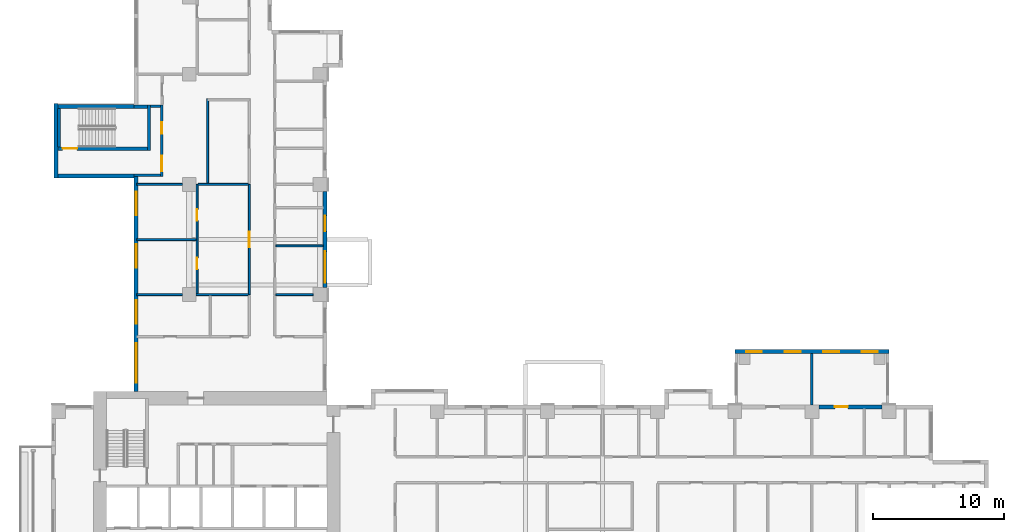
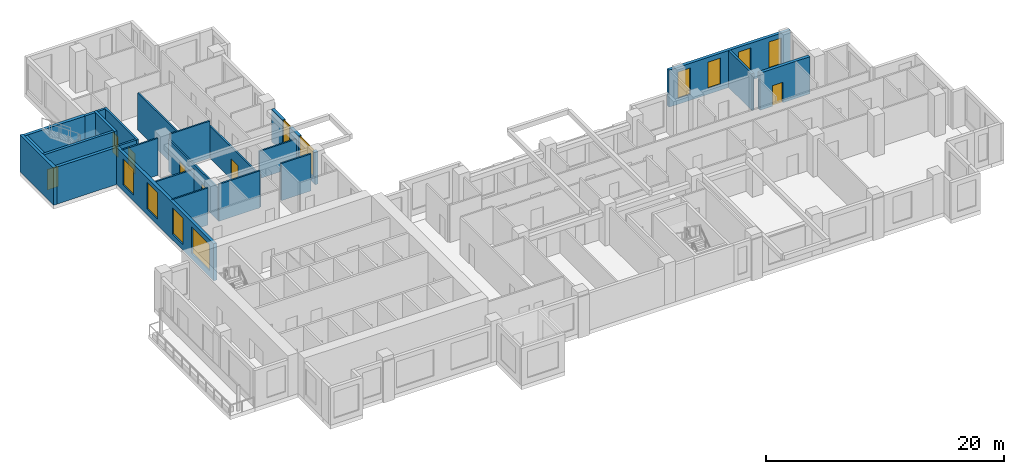
# One storey, part 6 of 14: 25 walls, 10 windows, 7 doors, 17 openings.
"""IFC4 building model written with IfcOpenShell, lengths in metres."""

import ifcopenshell
import ifcopenshell.guid

model = None  # the IFC model being written
_history = None  # IfcOwnerHistory: only IFC2X3 demands one
_inside = {}  # id of a spatial element -> (the spatial element, [elements in it])
_under = {}  # id of a project, library or spatial element -> (it, [spatial elements below it])
_declared = {}  # id of a project -> (the project, [libraries it declares])
_typed = {}  # id of a type object -> (the type object, [elements of that type])
_made_of = {}  # id of a material, layer set ... -> (it, [elements and type objects made of it])


def new_model(schema):
    """Start an empty IFC model of exactly this schema.

    Asked for "IFC4X3", IfcOpenShell would pick the latest addendum, in which some entities
    have other attributes; the version numbers below select the first issue.
    IFC2X3 requires an IfcOwnerHistory on every rooted entity: one is made here for all.
    """
    global model, _history
    if schema == "IFC4X3":
        model = ifcopenshell.file(schema_version=(4, 3, 0, 0))
    else:
        model = ifcopenshell.file(schema=schema)
    _inside.clear()
    _under.clear()
    _declared.clear()
    _typed.clear()
    _made_of.clear()
    _history = None
    if model.schema == "IFC2X3":
        org = make("IfcOrganization", Name="unknown")
        user = make(
            "IfcPersonAndOrganization",
            ThePerson=make("IfcPerson", FamilyName="unknown"),
            TheOrganization=org,
        )
        app = make(
            "IfcApplication",
            ApplicationDeveloper=org,
            Version="unknown",
            ApplicationFullName="unknown",
            ApplicationIdentifier="unknown",
        )
        _history = make(
            "IfcOwnerHistory",
            OwningUser=user,
            OwningApplication=app,
            ChangeAction="ADDED",
            CreationDate=0,
        )
    return model


def make(cls, **values):
    """One entity of the class cls with the attributes given. An attribute that is None is left unset."""
    return model.create_entity(
        cls, **{name: value for name, value in values.items() if value is not None}
    )


def rooted(cls, **values):
    """An entity with a GlobalId (a new one), such as an element, a storey or a relation."""
    return make(cls, GlobalId=ifcopenshell.guid.new(), OwnerHistory=_history, **values)


def si_unit(unit_type, name, prefix=None):
    """IfcSIUnit, for example si_unit("LENGTHUNIT", "METRE", prefix="MILLI")."""
    return make("IfcSIUnit", UnitType=unit_type, Prefix=prefix, Name=name)


def assignment(units):
    """IfcUnitAssignment: the units of a project."""
    return None if units is None else make("IfcUnitAssignment", Units=units)


def point(xyz):
    """IfcCartesianPoint."""
    return None if xyz is None else make("IfcCartesianPoint", Coordinates=xyz)


def direction(xyz):
    """IfcDirection."""
    return None if xyz is None else make("IfcDirection", DirectionRatios=xyz)


def frame(location, z_axis=None, x_axis=None):
    """IfcAxis2Placement3D, a coordinate frame: its origin and axes. An axis left out is left unset."""
    return make(
        "IfcAxis2Placement3D",
        Location=point(location),
        Axis=direction(z_axis),
        RefDirection=direction(x_axis),
    )


def frame_2d(location, x_axis=None):
    """IfcAxis2Placement2D, a coordinate frame in the plane: its origin and x axis."""
    return make(
        "IfcAxis2Placement2D", Location=point(location), RefDirection=direction(x_axis)
    )


def origin():
    """The frame at (0, 0, 0) with its axes left unset."""
    return frame((0.0, 0.0, 0.0))


def place(relative_to, where):
    """IfcLocalPlacement: puts the frame where relative to a parent placement (None: the world)."""
    return make(
        "IfcLocalPlacement", PlacementRelTo=relative_to, RelativePlacement=where
    )


def context(
    kind, dimensions, precision=None, world=None, true_north=None, identifier=None
):
    """IfcGeometricRepresentationContext, for example the 3D "Model" context."""
    return make(
        "IfcGeometricRepresentationContext",
        ContextIdentifier=identifier,
        ContextType=kind,
        CoordinateSpaceDimension=dimensions,
        Precision=precision,
        WorldCoordinateSystem=world,
        TrueNorth=true_north,
    )


def subcontext(parent, identifier, kind, view, scale=None):
    """IfcGeometricRepresentationSubContext, for example "Body" below "Model"."""
    return make(
        "IfcGeometricRepresentationSubContext",
        ContextIdentifier=identifier,
        ContextType=kind,
        ParentContext=parent,
        TargetScale=scale,
        TargetView=view,
    )


def project(units=None, contexts=None):
    """IfcProject with its units and contexts."""
    return rooted(
        "IfcProject",
        Name="project",
        RepresentationContexts=contexts,
        UnitsInContext=assignment(units),
    )


def spatial(cls, under=None, at=None, **own):
    """A site, building, storey or space (cls), placed at a placement, below another one or the project."""
    s = rooted(cls, ObjectPlacement=at, **own)
    if under is not None:
        _under.setdefault(under.id(), (under, []))[1].append(s)
    return s


def profile(cls, at=None, kind="AREA", **sizes):
    """A parametric profile (cls). Its sizes go by their IFC names, for example OverallWidth=200.0."""
    return make(cls, ProfileType=kind, Position=at, **sizes)


def rectangle(**sizes):
    """IfcRectangleProfileDef."""
    return profile("IfcRectangleProfileDef", **sizes)


def extrude(swept, where, along, depth):
    """IfcExtrudedAreaSolid: the profile swept, set in the frame where, extruded along a direction by depth."""
    return make(
        "IfcExtrudedAreaSolid",
        SweptArea=swept,
        Position=where,
        ExtrudedDirection=direction(along),
        Depth=depth,
    )


def shape(context_of_items, identifier, shape_type, items):
    """IfcShapeRepresentation: the items that make up one representation, for example the "Body"."""
    return make(
        "IfcShapeRepresentation",
        ContextOfItems=context_of_items,
        RepresentationIdentifier=identifier,
        RepresentationType=shape_type,
        Items=items,
    )


def source(mapping_origin, context_of_items, identifier, shape_type, items):
    """IfcRepresentationMap: a shape defined once, which mapped items show again and again."""
    return make(
        "IfcRepresentationMap",
        MappingOrigin=mapping_origin,
        MappedRepresentation=shape(context_of_items, identifier, shape_type, items),
    )


def transform(
    local_origin,
    x_axis=None,
    y_axis=None,
    z_axis=None,
    scale=None,
    scale2=None,
    scale3=None,
    uniform=True,
):
    """IfcCartesianTransformationOperator3D, or its non-uniform kind. x_axis, y_axis, z_axis: its Axis1, 2, 3."""
    if uniform:
        return make(
            "IfcCartesianTransformationOperator3D",
            Axis1=direction(x_axis),
            Axis2=direction(y_axis),
            LocalOrigin=point(local_origin),
            Scale=scale,
            Axis3=direction(z_axis),
        )
    return make(
        "IfcCartesianTransformationOperator3DnonUniform",
        Axis1=direction(x_axis),
        Axis2=direction(y_axis),
        LocalOrigin=point(local_origin),
        Scale=scale,
        Axis3=direction(z_axis),
        Scale2=scale2,
        Scale3=scale3,
    )


def mapped(mapping_source, mapping_target):
    """IfcMappedItem: shows the shape of a source again, moved by a transform."""
    return make(
        "IfcMappedItem", MappingSource=mapping_source, MappingTarget=mapping_target
    )


def material(Name=None, Category=None):
    """IfcMaterial."""
    return make("IfcMaterial", Name=Name, Category=Category)


def layer(
    of_material, thickness, ventilated=None, Name=None, Category=None, Priority=None
):
    """IfcMaterialLayer: one layer of a wall or slab, of a material (None: an air gap)."""
    return make(
        "IfcMaterialLayer",
        Material=of_material,
        LayerThickness=thickness,
        IsVentilated=ventilated,
        Name=Name,
        Category=Category,
        Priority=Priority,
    )


def layer_set(layers, Name=None):
    """IfcMaterialLayerSet."""
    return make("IfcMaterialLayerSet", MaterialLayers=layers, LayerSetName=Name)


def made_of(thing, what):
    """Note that an element or type object is made of a material, layer set ...; save() writes the relation."""
    if what is not None:
        _made_of.setdefault(what.id(), (what, []))[1].append(thing)
    return thing


def type_object(cls, material=None, **own):
    """A type object (cls), such as IfcWallType, which elements share."""
    return made_of(rooted(cls, **own), material)


def element(
    cls,
    number,
    at=None,
    inside=None,
    cuts=None,
    type_object=None,
    material=None,
    context=None,
    identifier="Body",
    shape_type=None,
    held_by="IfcProductDefinitionShape",
    body=None,
    shapes=None,
    **own,
):
    """One element of the class cls, such as IfcWall. Its Tag is "e" and its number.

    at: its placement. inside: the storey or other place that contains it. cuts: it is an
    opening in that element (IfcRelVoidsElement). A single representation is given by context,
    identifier, shape_type and body (its items); several are given by shapes. held_by: the class
    of the entity that holds the representations. save() writes the other relations.
    """
    e = rooted(cls, Tag="e%d" % number, ObjectPlacement=at, **own)
    if body is not None:
        shapes = [shape(context, identifier, shape_type, body)]
    if shapes is not None:
        e.Representation = make(held_by, Representations=shapes)
    if inside is not None:
        _inside.setdefault(inside.id(), (inside, []))[1].append(e)
    if cuts is not None:
        rooted(
            "IfcRelVoidsElement", RelatingBuildingElement=cuts, RelatedOpeningElement=e
        )
    if type_object is not None:
        _typed.setdefault(type_object.id(), (type_object, []))[1].append(e)
    return made_of(e, material)


def fill(opening, filler):
    """IfcRelFillsElement: the door or window that sits in an opening."""
    return rooted(
        "IfcRelFillsElement",
        RelatingOpeningElement=opening,
        RelatedBuildingElement=filler,
    )


def aggregate(whole, parts):
    """IfcRelAggregates: a whole, such as a stair, and the parts it consists of."""
    return rooted("IfcRelAggregates", RelatingObject=whole, RelatedObjects=parts)


def save(model, path):
    """Write the relations noted so far, then the file.

    IfcRelAggregates (storeys below a building ...), IfcRelContainedInSpatialStructure (elements
    in a storey), IfcRelDefinesByType, IfcRelAssociatesMaterial and IfcRelDeclares: one each for
    every whole, place, type object, material and project.
    """
    for whole, parts in _under.values():
        aggregate(whole, parts)
    for where, things in _inside.values():
        rooted(
            "IfcRelContainedInSpatialStructure",
            RelatedElements=things,
            RelatingStructure=where,
        )
    for kind, things in _typed.values():
        rooted("IfcRelDefinesByType", RelatedObjects=things, RelatingType=kind)
    for what, things in _made_of.values():
        rooted("IfcRelAssociatesMaterial", RelatedObjects=things, RelatingMaterial=what)
    for by, libraries in _declared.values():
        rooted("IfcRelDeclares", RelatingContext=by, RelatedDefinitions=libraries)
    model.write(path)


model = new_model("IFC4")

# Units and contexts
model_context = context("Model", 3, precision=1e-05, world=origin(), true_north=direction((0.0, 1.0)))
body_context = subcontext(model_context, "Body", "Model", "MODEL_VIEW")
ifc_project = project(units=[si_unit("LENGTHUNIT", "METRE"), si_unit("AREAUNIT", "SQUARE_METRE"), si_unit("VOLUMEUNIT", "CUBIC_METRE"), si_unit("PLANEANGLEUNIT", "RADIAN"), si_unit("MASSUNIT", "GRAM", prefix="KILO")], contexts=[model_context])

# Site, building, storey
site_placement = place(None, origin())
site = spatial("IfcSite", under=ifc_project, at=site_placement, CompositionType="ELEMENT")
building_placement = place(site_placement, origin())
building = spatial("IfcBuilding", under=site, at=building_placement, Name="Aurelian Terraces", CompositionType="ELEMENT")
storey_placement = place(building_placement, frame((0.0, 0.0, 116.1)))
storey = spatial("IfcBuildingStorey", under=building, at=storey_placement, Name="L25", CompositionType="ELEMENT", Elevation=116.1)

# Wall
ifc_material_1 = material(Name="Gypsum board on steel studs", Category="steel")
ifc_layer_1 = layer(ifc_material_1, 0.15)
ifc_layer_set_1 = layer_set([ifc_layer_1], Name="Partition 150")
wall_type_1 = type_object("IfcWallType", Name="Partition 150", PredefinedType="PARTITIONING", material=ifc_layer_set_1)
wall_1_placement = place(storey_placement, frame((11.025, 33.6, 0.0), z_axis=(0.0, 0.0, 1.0), x_axis=(-1.0, 0.0, 0.0)))
element("IfcWall", 1, at=wall_1_placement, inside=storey, type_object=wall_type_1, Name="Partition", PredefinedType="PARTITIONING", context=body_context, shape_type="SweptSolid", body=[
    extrude(rectangle(XDim=4.52, YDim=0.15, at=frame_2d((2.26, 0.0))), origin(), (0.0, 0.0, 1.0), 2.8),
])

# Wall, openings, windows
ifc_material_2 = material(Name="Concrete fc' 40 MPa", Category="concrete")
ifc_layer_2 = layer(ifc_material_2, 0.3)
ifc_layer_set_2 = layer_set([ifc_layer_2], Name="BOX BEARING WALL 300")
wall_type_2 = type_object("IfcWallType", Name="BOX BEARING WALL 300", PredefinedType="SOLIDWALL", material=ifc_layer_set_2)
shared_shape_1 = source(origin(), body_context, "Body", "SweptSolid", [
    extrude(rectangle(XDim=11.76, YDim=0.3, at=frame_2d((5.88, 0.0))), origin(), (0.0, 0.0, 1.0), 3.79),
])
wall_2_placement = place(storey_placement, frame((63.84, 25.05, 0.0), z_axis=(0.0, 0.0, 1.0), x_axis=(-1.0, 0.0, 0.0)))
wall_2 = element("IfcWall", 2, at=wall_2_placement, inside=storey, type_object=wall_type_2, Name="Box wall L25 K02", PredefinedType="SOLIDWALL", context=body_context, shape_type="MappedRepresentation", body=[
    mapped(shared_shape_1, transform((0.0, 0.0, 0.0), scale=1.0)),
])
shared_shape_2 = source(origin(), body_context, "Body", "SweptSolid", [
    extrude(rectangle(XDim=1.2, YDim=2.7, at=frame_2d((0.6, 1.35))), frame((0.0, 0.16, 0.0), z_axis=(0.0, -1.0, 0.0), x_axis=(1.0, 0.0, 0.0)), (0.0, 0.0, 1.0), 0.32),
])
opening_1_placement = place(wall_2_placement, frame((0.87, 0.0, 0.6)))
opening_1 = element("IfcOpeningElement", 3, at=opening_1_placement, cuts=wall_2, Name="Opening W1227", PredefinedType="OPENING", context=body_context, shape_type="MappedRepresentation", body=[
    mapped(shared_shape_2, transform((0.0, 0.0, 0.0), scale=1.0)),
])
opening_2_placement = place(wall_2_placement, frame((3.81, 0.0, 0.6)))
opening_2 = element("IfcOpeningElement", 4, at=opening_2_placement, cuts=wall_2, Name="Opening W1227", PredefinedType="OPENING", context=body_context, shape_type="MappedRepresentation", body=[
    mapped(shared_shape_2, transform((0.0, 0.0, 0.0), scale=1.0)),
])
opening_3_placement = place(wall_2_placement, frame((6.75, 0.0, 0.6)))
opening_3 = element("IfcOpeningElement", 5, at=opening_3_placement, cuts=wall_2, Name="Opening W1227", PredefinedType="OPENING", context=body_context, shape_type="MappedRepresentation", body=[
    mapped(shared_shape_2, transform((0.0, 0.0, 0.0), scale=1.0)),
])
opening_4_placement = place(wall_2_placement, frame((9.69, 0.0, 0.6)))
opening_4 = element("IfcOpeningElement", 6, at=opening_4_placement, cuts=wall_2, Name="Opening W1227", PredefinedType="OPENING", context=body_context, shape_type="MappedRepresentation", body=[
    mapped(shared_shape_2, transform((0.0, 0.0, 0.0), scale=1.0)),
])
ifc_material_3 = material(Name="Clear glazing", Category="glass")
window_type_1 = type_object("IfcWindowType", Name="W-1200x2700", PartitioningType="SINGLE_PANEL", PredefinedType="WINDOW", material=ifc_material_3)
shared_shape_3 = source(origin(), body_context, "Body", "SweptSolid", [
    extrude(rectangle(XDim=1.2, YDim=2.7, at=frame_2d((0.6, 1.35))), frame((0.0, 0.03, 0.0), z_axis=(0.0, -1.0, 0.0), x_axis=(1.0, 0.0, 0.0)), (0.0, 0.0, 1.0), 0.06),
])
window_1_placement = place(opening_1_placement, origin())
window_1 = element("IfcWindow", 7, at=window_1_placement, inside=storey, type_object=window_type_1, Name="Window L25 K02-F1", OverallHeight=2.7, OverallWidth=1.2, PartitioningType="SINGLE_PANEL", PredefinedType="WINDOW", context=body_context, shape_type="MappedRepresentation", body=[
    mapped(shared_shape_3, transform((0.0, 0.0, 0.0), scale=1.0)),
])
fill(opening_1, window_1)
window_2_placement = place(opening_2_placement, origin())
window_2 = element("IfcWindow", 8, at=window_2_placement, inside=storey, type_object=window_type_1, Name="Window L25 K02-F2", OverallHeight=2.7, OverallWidth=1.2, PartitioningType="SINGLE_PANEL", PredefinedType="WINDOW", context=body_context, shape_type="MappedRepresentation", body=[
    mapped(shared_shape_3, transform((0.0, 0.0, 0.0), scale=1.0)),
])
fill(opening_2, window_2)
window_3_placement = place(opening_3_placement, origin())
window_3 = element("IfcWindow", 9, at=window_3_placement, inside=storey, type_object=window_type_1, Name="Window L25 K02-F3", OverallHeight=2.7, OverallWidth=1.2, PartitioningType="SINGLE_PANEL", PredefinedType="WINDOW", context=body_context, shape_type="MappedRepresentation", body=[
    mapped(shared_shape_3, transform((0.0, 0.0, 0.0), scale=1.0)),
])
fill(opening_3, window_3)
window_4_placement = place(opening_4_placement, origin())
window_4 = element("IfcWindow", 10, at=window_4_placement, inside=storey, type_object=window_type_1, Name="Window L25 K02-F4", OverallHeight=2.7, OverallWidth=1.2, PartitioningType="SINGLE_PANEL", PredefinedType="WINDOW", context=body_context, shape_type="MappedRepresentation", body=[
    mapped(shared_shape_3, transform((0.0, 0.0, 0.0), scale=1.0)),
])
fill(opening_4, window_4)

# Walls
ifc_layer_3 = layer(ifc_material_2, 0.2)
ifc_layer_set_3 = layer_set([ifc_layer_3], Name="BOX BEARING WALL 200")
wall_type_3 = type_object("IfcWallType", Name="BOX BEARING WALL 200", PredefinedType="SOLIDWALL", material=ifc_layer_set_3)
shared_shape_4 = source(origin(), body_context, "Body", "SweptSolid", [
    extrude(rectangle(XDim=3.9, YDim=0.2, at=frame_2d((1.95, 0.0))), origin(), (0.0, 0.0, 1.0), 3.79),
])
wall_3_placement = place(storey_placement, frame((57.96, 21.0, 0.0), z_axis=(0.0, 0.0, 1.0), x_axis=(0.0, 1.0, 0.0)))
element("IfcWall", 11, at=wall_3_placement, inside=storey, type_object=wall_type_3, Name="Box partition L25 K02", PredefinedType="SOLIDWALL", context=body_context, shape_type="MappedRepresentation", body=[
    mapped(shared_shape_4, transform((0.0, 0.0, 0.0), scale=1.0)),
])
ifc_layer_4 = layer(ifc_material_2, 0.3)
ifc_layer_set_4 = layer_set([ifc_layer_4], Name="STAIR BAY WALL 300")
wall_type_4 = type_object("IfcWallType", Name="STAIR BAY WALL 300", PredefinedType="SOLIDWALL", material=ifc_layer_set_4)
shared_shape_5 = source(origin(), body_context, "Body", "SweptSolid", [
    extrude(rectangle(XDim=6.1, YDim=0.3, at=frame_2d((3.05, 0.0))), origin(), (0.0, 0.0, 1.0), 3.8),
])
for number, where, z_axis, x_axis, name in (
    (12, (6.3, 43.75, 0.0), (0.0, 0.0, 1.0), (-1.0, 0.0, 0.0), "Stair bay wall L25 F13.32"),
    (13, (0.2, 38.45, 0.0), (0.0, 0.0, 1.0), (1.0, 0.0, 0.0), "Stair bay wall L25 F15.34"),
):
    element("IfcWall", number, at=place(storey_placement, frame(where, z_axis=z_axis, x_axis=x_axis)), inside=storey, type_object=wall_type_4, Name=name, PredefinedType="SOLIDWALL", context=body_context, shape_type="MappedRepresentation", body=[
        mapped(shared_shape_5, transform((0.0, 0.0, 0.0), scale=1.0)),
    ])

# Wall, opening, door
ifc_material_4 = material(Name="Terracotta rainscreen cladding", Category="masonry")
ifc_layer_5 = layer(ifc_material_4, 0.3)
ifc_layer_set_5 = layer_set([ifc_layer_5], Name="EW-300")
wall_type_5 = type_object("IfcWallType", Name="EW-300", PredefinedType="STANDARD", material=ifc_layer_set_5)
shared_shape_6 = source(origin(), body_context, "Body", "SweptSolid", [
    extrude(rectangle(XDim=4.83, YDim=0.3, at=frame_2d((2.415, 0.0))), origin(), (0.0, 0.0, 1.0), 3.8),
])
wall_4_placement = place(storey_placement, frame((63.315, 20.85, 0.0), z_axis=(0.0, 0.0, 1.0), x_axis=(-1.0, 0.0, 0.0)))
wall_4 = element("IfcWall", 14, at=wall_4_placement, inside=storey, type_object=wall_type_5, Name="External wall L25 F07.18", PredefinedType="STANDARD", context=body_context, shape_type="MappedRepresentation", body=[
    mapped(shared_shape_6, transform((0.0, 0.0, 0.0), scale=1.0)),
])
shared_shape_7 = source(origin(), body_context, "Body", "SweptSolid", [
    extrude(rectangle(XDim=1.0, YDim=2.1, at=frame_2d((0.5, 1.05))), frame((0.0, 0.16, 0.0), z_axis=(0.0, -1.0, 0.0), x_axis=(1.0, 0.0, 0.0)), (0.0, 0.0, 1.0), 0.32),
])
opening_5_placement = place(wall_4_placement, frame((2.615, 0.0, 0.0)))
opening_5 = element("IfcOpeningElement", 15, at=opening_5_placement, cuts=wall_4, Name="Opening 825002", PredefinedType="OPENING", context=body_context, shape_type="MappedRepresentation", body=[
    mapped(shared_shape_7, transform((0.0, 0.0, 0.0), scale=1.0)),
])
ifc_material_5 = material(Name="Timber door leaf", Category="wood")
door_type_1 = type_object("IfcDoorType", Name="Room door 1000x2100 left", OperationType="SINGLE_SWING_LEFT", PredefinedType="DOOR", material=ifc_material_5)
shared_shape_8 = source(origin(), body_context, "Body", "SweptSolid", [
    extrude(rectangle(XDim=1.0, YDim=2.1, at=frame_2d((0.5, 1.05))), frame((0.0, 0.025, 0.0), z_axis=(0.0, -1.0, 0.0), x_axis=(1.0, 0.0, 0.0)), (0.0, 0.0, 1.0), 0.05),
])
door_1_placement = place(opening_5_placement, origin())
door_1 = element("IfcDoor", 16, at=door_1_placement, inside=storey, type_object=door_type_1, Name="Door 825002", OperationType="SINGLE_SWING_LEFT", OverallHeight=2.1, OverallWidth=1.0, PredefinedType="DOOR", context=body_context, shape_type="MappedRepresentation", body=[
    mapped(shared_shape_8, transform((0.0, 0.0, 0.0), scale=1.0)),
])
fill(opening_5, door_1)

# Wall
shared_shape_9 = source(origin(), body_context, "Body", "SweptSolid", [
    extrude(rectangle(XDim=5.65, YDim=0.3, at=frame_2d((2.825, 0.0))), origin(), (0.0, 0.0, 1.0), 3.8),
])
wall_5_placement = place(storey_placement, frame((0.35, 43.95, 0.0), z_axis=(0.0, 0.0, 1.0), x_axis=(0.0, -1.0, 0.0)))
element("IfcWall", 17, at=wall_5_placement, inside=storey, type_object=wall_type_4, Name="Stair bay wall L25 F14.33", PredefinedType="SOLIDWALL", context=body_context, shape_type="MappedRepresentation", body=[
    mapped(shared_shape_9, transform((0.0, 0.0, 0.0), scale=1.0)),
])

# Wall, openings, windows
shared_shape_10 = source(origin(), body_context, "Body", "SweptSolid", [
    extrude(rectangle(XDim=7.35, YDim=0.3, at=frame_2d((3.675, 0.0))), origin(), (0.0, 0.0, 1.0), 3.3),
])
wall_6_placement = place(storey_placement, frame((20.85, 29.925, 0.0), z_axis=(0.0, 0.0, 1.0), x_axis=(0.0, 1.0, 0.0)))
wall_6 = element("IfcWall", 18, at=wall_6_placement, inside=storey, type_object=wall_type_5, Name="External wall L25 F08.24", PredefinedType="STANDARD", context=body_context, shape_type="MappedRepresentation", body=[
    mapped(shared_shape_10, transform((0.0, 0.0, 0.0), scale=1.0)),
])
shared_shape_11 = source(origin(), body_context, "Body", "SweptSolid", [
    extrude(rectangle(XDim=2.4, YDim=2.7, at=frame_2d((1.2, 1.35))), frame((0.0, 0.16, 0.0), z_axis=(0.0, -1.0, 0.0), x_axis=(1.0, 0.0, 0.0)), (0.0, 0.0, 1.0), 0.32),
])
opening_6_placement = place(wall_6_placement, frame((0.375, 0.0, 0.6)))
opening_6 = element("IfcOpeningElement", 19, at=opening_6_placement, cuts=wall_6, Name="Opening W2427", PredefinedType="OPENING", context=body_context, shape_type="MappedRepresentation", body=[
    mapped(shared_shape_11, transform((0.0, 0.0, 0.0), scale=1.0)),
])
opening_7_placement = place(wall_6_placement, frame((4.2933, 0.0, 0.6)))
opening_7 = element("IfcOpeningElement", 20, at=opening_7_placement, cuts=wall_6, Name="Opening W1227", PredefinedType="OPENING", context=body_context, shape_type="MappedRepresentation", body=[
    mapped(shared_shape_2, transform((0.0, 0.0, 0.0), scale=1.0)),
])
window_type_2 = type_object("IfcWindowType", Name="W-2400x2700", PartitioningType="SINGLE_PANEL", PredefinedType="WINDOW", material=ifc_material_3)
shared_shape_12 = source(origin(), body_context, "Body", "SweptSolid", [
    extrude(rectangle(XDim=2.4, YDim=2.7, at=frame_2d((1.2, 1.35))), frame((0.0, 0.03, 0.0), z_axis=(0.0, -1.0, 0.0), x_axis=(1.0, 0.0, 0.0)), (0.0, 0.0, 1.0), 0.06),
])
window_5_placement = place(opening_6_placement, origin())
window_5 = element("IfcWindow", 21, at=window_5_placement, inside=storey, type_object=window_type_2, Name="Window L25 L25-F08-24-0", OverallHeight=2.7, OverallWidth=2.4, PartitioningType="SINGLE_PANEL", PredefinedType="WINDOW", context=body_context, shape_type="MappedRepresentation", body=[
    mapped(shared_shape_12, transform((0.0, 0.0, 0.0), scale=1.0)),
])
fill(opening_6, window_5)
window_6_placement = place(opening_7_placement, origin())
window_6 = element("IfcWindow", 22, at=window_6_placement, inside=storey, type_object=window_type_1, Name="Window L25 L25-F08-24-G0-33", OverallHeight=2.7, OverallWidth=1.2, PartitioningType="SINGLE_PANEL", PredefinedType="WINDOW", context=body_context, shape_type="MappedRepresentation", body=[
    mapped(shared_shape_3, transform((0.0, 0.0, 0.0), scale=1.0)),
])
fill(opening_7, window_6)

shared_shape_13 = source(origin(), body_context, "Body", "SweptSolid", [
    extrude(rectangle(XDim=16.4, YDim=0.3, at=frame_2d((8.2, 0.0))), origin(), (0.0, 0.0, 1.0), 3.8),
])
wall_7_placement = place(storey_placement, frame((6.45, 38.4, 0.0), z_axis=(0.0, 0.0, 1.0), x_axis=(0.0, -1.0, 0.0)))
wall_7 = element("IfcWall", 23, at=wall_7_placement, inside=storey, type_object=wall_type_5, Name="External wall L25 F16.35", PredefinedType="STANDARD", context=body_context, shape_type="MappedRepresentation", body=[
    mapped(shared_shape_13, transform((0.0, 0.0, 0.0), scale=1.0)),
])
shared_shape_14 = source(origin(), body_context, "Body", "SweptSolid", [
    extrude(rectangle(XDim=1.8, YDim=2.7, at=frame_2d((0.9, 1.35))), frame((0.0, 0.16, 0.0), z_axis=(0.0, -1.0, 0.0), x_axis=(1.0, 0.0, 0.0)), (0.0, 0.0, 1.0), 0.32),
])
opening_8_placement = place(wall_7_placement, frame((1.15, 0.0, 0.6)))
opening_8 = element("IfcOpeningElement", 24, at=opening_8_placement, cuts=wall_7, Name="Opening W1827", PredefinedType="OPENING", context=body_context, shape_type="MappedRepresentation", body=[
    mapped(shared_shape_14, transform((0.0, 0.0, 0.0), scale=1.0)),
])
opening_9_placement = place(wall_7_placement, frame((5.1625, 0.0, 0.6)))
opening_9 = element("IfcOpeningElement", 25, at=opening_9_placement, cuts=wall_7, Name="Opening W1827", PredefinedType="OPENING", context=body_context, shape_type="MappedRepresentation", body=[
    mapped(shared_shape_14, transform((0.0, 0.0, 0.0), scale=1.0)),
])
opening_10_placement = place(wall_7_placement, frame((9.4375, 0.0, 0.6)))
opening_10 = element("IfcOpeningElement", 26, at=opening_10_placement, cuts=wall_7, Name="Opening W1827", PredefinedType="OPENING", context=body_context, shape_type="MappedRepresentation", body=[
    mapped(shared_shape_14, transform((0.0, 0.0, 0.0), scale=1.0)),
])
shared_shape_15 = source(origin(), body_context, "Body", "SweptSolid", [
    extrude(rectangle(XDim=3.0, YDim=2.7, at=frame_2d((1.5, 1.35))), frame((0.0, 0.16, 0.0), z_axis=(0.0, -1.0, 0.0), x_axis=(1.0, 0.0, 0.0)), (0.0, 0.0, 1.0), 0.32),
])
opening_11_placement = place(wall_7_placement, frame((12.7, 0.0, 0.6)))
opening_11 = element("IfcOpeningElement", 27, at=opening_11_placement, cuts=wall_7, Name="Opening W3027", PredefinedType="OPENING", context=body_context, shape_type="MappedRepresentation", body=[
    mapped(shared_shape_15, transform((0.0, 0.0, 0.0), scale=1.0)),
])
window_type_3 = type_object("IfcWindowType", Name="W-1800x2700", PartitioningType="SINGLE_PANEL", PredefinedType="WINDOW", material=ifc_material_3)
shared_shape_16 = source(origin(), body_context, "Body", "SweptSolid", [
    extrude(rectangle(XDim=1.8, YDim=2.7, at=frame_2d((0.9, 1.35))), frame((0.0, 0.03, 0.0), z_axis=(0.0, -1.0, 0.0), x_axis=(1.0, 0.0, 0.0)), (0.0, 0.0, 1.0), 0.06),
])
window_7_placement = place(opening_8_placement, origin())
window_7 = element("IfcWindow", 28, at=window_7_placement, inside=storey, type_object=window_type_3, Name="Window L25 L25-F16-35-0", OverallHeight=2.7, OverallWidth=1.8, PartitioningType="SINGLE_PANEL", PredefinedType="WINDOW", context=body_context, shape_type="MappedRepresentation", body=[
    mapped(shared_shape_16, transform((0.0, 0.0, 0.0), scale=1.0)),
])
fill(opening_8, window_7)
window_8_placement = place(opening_9_placement, origin())
window_8 = element("IfcWindow", 29, at=window_8_placement, inside=storey, type_object=window_type_3, Name="Window L25 L25-F16-35-1", OverallHeight=2.7, OverallWidth=1.8, PartitioningType="SINGLE_PANEL", PredefinedType="WINDOW", context=body_context, shape_type="MappedRepresentation", body=[
    mapped(shared_shape_16, transform((0.0, 0.0, 0.0), scale=1.0)),
])
fill(opening_9, window_8)
window_9_placement = place(opening_10_placement, origin())
window_9 = element("IfcWindow", 30, at=window_9_placement, inside=storey, type_object=window_type_3, Name="Window L25 L25-F16-35-2", OverallHeight=2.7, OverallWidth=1.8, PartitioningType="SINGLE_PANEL", PredefinedType="WINDOW", context=body_context, shape_type="MappedRepresentation", body=[
    mapped(shared_shape_16, transform((0.0, 0.0, 0.0), scale=1.0)),
])
fill(opening_10, window_9)
window_type_4 = type_object("IfcWindowType", Name="W-3000x2700", PartitioningType="SINGLE_PANEL", PredefinedType="WINDOW", material=ifc_material_3)
shared_shape_17 = source(origin(), body_context, "Body", "SweptSolid", [
    extrude(rectangle(XDim=3.0, YDim=2.7, at=frame_2d((1.5, 1.35))), frame((0.0, 0.03, 0.0), z_axis=(0.0, -1.0, 0.0), x_axis=(1.0, 0.0, 0.0)), (0.0, 0.0, 1.0), 0.06),
])
window_10_placement = place(opening_11_placement, origin())
window_10 = element("IfcWindow", 31, at=window_10_placement, inside=storey, type_object=window_type_4, Name="Window L25 L25-F16-35-3", OverallHeight=2.7, OverallWidth=3.0, PartitioningType="SINGLE_PANEL", PredefinedType="WINDOW", context=body_context, shape_type="MappedRepresentation", body=[
    mapped(shared_shape_17, transform((0.0, 0.0, 0.0), scale=1.0)),
])
fill(opening_11, window_10)

# Wall, opening, door
ifc_layer_6 = layer(ifc_material_2, 0.25)
ifc_layer_set_6 = layer_set([ifc_layer_6], Name="Stair enclosure wall 250")
wall_type_6 = type_object("IfcWallType", Name="Stair enclosure wall 250", PredefinedType="SOLIDWALL", material=ifc_layer_set_6)
shared_shape_18 = source(origin(), body_context, "Body", "SweptSolid", [
    extrude(rectangle(XDim=7.0, YDim=0.25, at=frame_2d((3.5, 0.0))), origin(), (0.0, 0.0, 1.0), 3.8),
])
wall_8_placement = place(storey_placement, frame((0.3, 40.525, 0.0), z_axis=(0.0, 0.0, 1.0), x_axis=(1.0, 0.0, 0.0)))
wall_8 = element("IfcWall", 32, at=wall_8_placement, inside=storey, type_object=wall_type_6, Name="L25 core wall ST-S3-W", PredefinedType="SOLIDWALL", context=body_context, shape_type="MappedRepresentation", body=[
    mapped(shared_shape_18, transform((0.0, 0.0, 0.0), scale=1.0)),
])
shared_shape_19 = source(origin(), body_context, "Body", "SweptSolid", [
    extrude(rectangle(XDim=1.1, YDim=2.1, at=frame_2d((0.55, 1.05))), frame((0.0, 0.135, 0.0), z_axis=(0.0, -1.0, 0.0), x_axis=(1.0, 0.0, 0.0)), (0.0, 0.0, 1.0), 0.27),
])
opening_12_placement = place(wall_8_placement, frame((0.55, 0.0, 0.0)))
opening_12 = element("IfcOpeningElement", 33, at=opening_12_placement, cuts=wall_8, Name="Opening 62818", PredefinedType="OPENING", context=body_context, shape_type="MappedRepresentation", body=[
    mapped(shared_shape_19, transform((0.0, 0.0, 0.0), scale=1.0)),
])
ifc_material_6 = material(Name="Steel door leaf", Category="steel")
door_type_2 = type_object("IfcDoorType", Name="Core fire door 1100x2100", OperationType="SINGLE_SWING_LEFT", PredefinedType="DOOR", material=ifc_material_6)
shared_shape_20 = source(origin(), body_context, "Body", "SweptSolid", [
    extrude(rectangle(XDim=1.1, YDim=2.1, at=frame_2d((0.55, 1.05))), frame((0.0, 0.025, 0.0), z_axis=(0.0, -1.0, 0.0), x_axis=(1.0, 0.0, 0.0)), (0.0, 0.0, 1.0), 0.05),
])
door_2_placement = place(opening_12_placement, origin())
door_2 = element("IfcDoor", 34, at=door_2_placement, inside=storey, type_object=door_type_2, Name="Stair door 62818", OperationType="SINGLE_SWING_LEFT", OverallHeight=2.1, OverallWidth=1.1, PredefinedType="DOOR", context=body_context, shape_type="MappedRepresentation", body=[
    mapped(shared_shape_20, transform((0.0, 0.0, 0.0), scale=1.0)),
])
fill(opening_12, door_2)

# Walls
shared_shape_21 = source(origin(), body_context, "Body", "SweptSolid", [
    extrude(rectangle(XDim=3.45, YDim=0.25, at=frame_2d((1.725, 0.0))), origin(), (0.0, 0.0, 1.0), 3.8),
])
wall_9_placement = place(storey_placement, frame((7.425, 40.4, 0.0), z_axis=(0.0, 0.0, 1.0), x_axis=(0.0, 1.0, 0.0)))
element("IfcWall", 35, at=wall_9_placement, inside=storey, type_object=wall_type_6, Name="L25 core wall ST-S3-N", PredefinedType="SOLIDWALL", context=body_context, shape_type="MappedRepresentation", body=[
    mapped(shared_shape_21, transform((0.0, 0.0, 0.0), scale=1.0)),
])
shared_shape_22 = source(origin(), body_context, "Body", "SweptSolid", [
    extrude(rectangle(XDim=2.95, YDim=0.25, at=frame_2d((1.475, 0.0))), origin(), (0.0, 0.0, 1.0), 3.8),
])
wall_10_placement = place(storey_placement, frame((0.575, 40.65, 0.0), z_axis=(0.0, 0.0, 1.0), x_axis=(0.0, 1.0, 0.0)))
element("IfcWall", 36, at=wall_10_placement, inside=storey, type_object=wall_type_6, Name="L25 core wall ST-S3-SS", PredefinedType="SOLIDWALL", context=body_context, shape_type="MappedRepresentation", body=[
    mapped(shared_shape_22, transform((0.0, 0.0, 0.0), scale=1.0)),
])

# Wall, openings, doors
ifc_layer_7 = layer(ifc_material_1, 0.2)
ifc_layer_set_7 = layer_set([ifc_layer_7], Name="Core partition 200")
wall_type_7 = type_object("IfcWallType", Name="Core partition 200", PredefinedType="PARTITIONING", material=ifc_layer_set_7)
shared_shape_23 = source(origin(), body_context, "Body", "SweptSolid", [
    extrude(rectangle(XDim=5.45, YDim=0.2, at=frame_2d((2.725, 0.0))), origin(), (0.0, 0.0, 1.0), 3.8),
])
wall_11_placement = place(storey_placement, frame((8.4, 38.4, 0.0), z_axis=(0.0, 0.0, 1.0), x_axis=(0.0, 1.0, 0.0)))
wall_11 = element("IfcWall", 37, at=wall_11_placement, inside=storey, type_object=wall_type_7, Name="L25 core wall ST-S3-BN", PredefinedType="PARTITIONING", context=body_context, shape_type="MappedRepresentation", body=[
    mapped(shared_shape_23, transform((0.0, 0.0, 0.0), scale=1.0)),
])
shared_shape_24 = source(origin(), body_context, "Body", "SweptSolid", [
    extrude(rectangle(XDim=1.2, YDim=2.1, at=frame_2d((0.6, 1.05))), frame((0.0, 0.11, 0.0), z_axis=(0.0, -1.0, 0.0), x_axis=(1.0, 0.0, 0.0)), (0.0, 0.0, 1.0), 0.22),
])
opening_13_placement = place(wall_11_placement, frame((0.4, 0.0, 0.0)))
opening_13 = element("IfcOpeningElement", 38, at=opening_13_placement, cuts=wall_11, Name="Opening 62819", PredefinedType="OPENING", context=body_context, shape_type="MappedRepresentation", body=[
    mapped(shared_shape_24, transform((0.0, 0.0, 0.0), scale=1.0)),
])
shared_shape_25 = source(origin(), body_context, "Body", "SweptSolid", [
    extrude(rectangle(XDim=0.9, YDim=2.1, at=frame_2d((0.45, 1.05))), frame((0.0, 0.11, 0.0), z_axis=(0.0, -1.0, 0.0), x_axis=(1.0, 0.0, 0.0)), (0.0, 0.0, 1.0), 0.22),
])
opening_14_placement = place(wall_11_placement, frame((3.25, 0.0, 0.0)))
opening_14 = element("IfcOpeningElement", 39, at=opening_14_placement, cuts=wall_11, Name="Opening 62820", PredefinedType="OPENING", context=body_context, shape_type="MappedRepresentation", body=[
    mapped(shared_shape_25, transform((0.0, 0.0, 0.0), scale=1.0)),
])
door_type_3 = type_object("IfcDoorType", Name="Core riser door 900x2100", OperationType="SINGLE_SWING_LEFT", PredefinedType="DOOR", material=ifc_material_6)
shared_shape_26 = source(origin(), body_context, "Body", "SweptSolid", [
    extrude(rectangle(XDim=0.9, YDim=2.1, at=frame_2d((0.45, 1.05))), frame((0.0, 0.025, 0.0), z_axis=(0.0, -1.0, 0.0), x_axis=(1.0, 0.0, 0.0)), (0.0, 0.0, 1.0), 0.05),
])
door_3_placement = place(opening_14_placement, origin())
door_3 = element("IfcDoor", 40, at=door_3_placement, inside=storey, type_object=door_type_3, Name="Riser door 62820", OperationType="SINGLE_SWING_LEFT", OverallHeight=2.1, OverallWidth=0.9, PredefinedType="DOOR", context=body_context, shape_type="MappedRepresentation", body=[
    mapped(shared_shape_26, transform((0.0, 0.0, 0.0), scale=1.0)),
])
fill(opening_14, door_3)
door_type_4 = type_object("IfcDoorType", Name="Core fire door 1200x2100 right", OperationType="SINGLE_SWING_RIGHT", PredefinedType="DOOR", material=ifc_material_6)
shared_shape_27 = source(origin(), body_context, "Body", "SweptSolid", [
    extrude(rectangle(XDim=1.2, YDim=2.1, at=frame_2d((0.6, 1.05))), frame((0.0, 0.025, 0.0), z_axis=(0.0, -1.0, 0.0), x_axis=(1.0, 0.0, 0.0)), (0.0, 0.0, 1.0), 0.05),
])
door_4_placement = place(opening_13_placement, origin())
door_4 = element("IfcDoor", 41, at=door_4_placement, inside=storey, type_object=door_type_4, Name="Vestibule door 62819", OperationType="SINGLE_SWING_RIGHT", OverallHeight=2.1, OverallWidth=1.2, PredefinedType="DOOR", context=body_context, shape_type="MappedRepresentation", body=[
    mapped(shared_shape_27, transform((0.0, 0.0, 0.0), scale=1.0)),
])
fill(opening_13, door_4)

# Walls
shared_shape_28 = source(origin(), body_context, "Body", "SweptSolid", [
    extrude(rectangle(XDim=0.75, YDim=0.2, at=frame_2d((0.375, 0.0))), origin(), (0.0, 0.0, 1.0), 3.8),
])
wall_12_placement = place(storey_placement, frame((7.55, 43.75, 0.0), z_axis=(0.0, 0.0, 1.0), x_axis=(1.0, 0.0, 0.0)))
element("IfcWall", 42, at=wall_12_placement, inside=storey, type_object=wall_type_7, Name="L25 core wall ST-S3-RE", PredefinedType="PARTITIONING", context=body_context, shape_type="MappedRepresentation", body=[
    mapped(shared_shape_28, transform((0.0, 0.0, 0.0), scale=1.0)),
])
shared_shape_29 = source(origin(), body_context, "Body", "SweptSolid", [
    extrude(rectangle(XDim=1.0, YDim=0.25, at=frame_2d((0.5, 0.0))), origin(), (0.0, 0.0, 1.0), 3.8),
])
wall_13_placement = place(storey_placement, frame((6.3, 43.725, 0.0), z_axis=(0.0, 0.0, 1.0), x_axis=(1.0, 0.0, 0.0)))
element("IfcWall", 43, at=wall_13_placement, inside=storey, type_object=wall_type_6, Name="L25 core wall ST-S3-E", PredefinedType="SOLIDWALL", context=body_context, shape_type="MappedRepresentation", body=[
    mapped(shared_shape_29, transform((0.0, 0.0, 0.0), scale=1.0)),
])
shared_shape_30 = source(origin(), body_context, "Body", "SweptSolid", [
    extrude(rectangle(XDim=2.0, YDim=0.2, at=frame_2d((1.0, 0.0))), origin(), (0.0, 0.0, 1.0), 3.8),
])
wall_14_placement = place(storey_placement, frame((6.3, 38.5, 0.0), z_axis=(0.0, 0.0, 1.0), x_axis=(1.0, 0.0, 0.0)))
element("IfcWall", 44, at=wall_14_placement, inside=storey, type_object=wall_type_7, Name="L25 core wall ST-S3-VW", PredefinedType="PARTITIONING", context=body_context, shape_type="MappedRepresentation", body=[
    mapped(shared_shape_30, transform((0.0, 0.0, 0.0), scale=1.0)),
])
shared_shape_31 = source(origin(), body_context, "Body", "SweptSolid", [
    extrude(rectangle(XDim=6.45, YDim=0.15, at=frame_2d((3.225, 0.0))), origin(), (0.0, 0.0, 1.0), 3.8),
])
wall_15_placement = place(storey_placement, frame((11.9, 44.325, 0.0), z_axis=(0.0, 0.0, 1.0), x_axis=(0.0, -1.0, 0.0)))
element("IfcWall", 45, at=wall_15_placement, inside=storey, type_object=wall_type_1, Name="Partition", PredefinedType="PARTITIONING", context=body_context, shape_type="MappedRepresentation", body=[
    mapped(shared_shape_31, transform((0.0, 0.0, 0.0), scale=1.0)),
])
shared_shape_32 = source(origin(), body_context, "Body", "SweptSolid", [
    extrude(rectangle(XDim=3.6, YDim=0.15, at=frame_2d((1.8, 0.0))), origin(), (0.0, 0.0, 1.0), 2.8),
])
wall_16_placement = place(storey_placement, frame((17.1, 33.1133, 0.0), z_axis=(0.0, 0.0, 1.0), x_axis=(1.0, 0.0, 0.0)))
element("IfcWall", 46, at=wall_16_placement, inside=storey, type_object=wall_type_1, Name="Partition", PredefinedType="PARTITIONING", context=body_context, shape_type="MappedRepresentation", body=[
    mapped(shared_shape_32, transform((0.0, 0.0, 0.0), scale=1.0)),
])

# Wall, openings, doors
shared_shape_33 = source(origin(), body_context, "Body", "SweptSolid", [
    extrude(rectangle(XDim=8.4, YDim=0.15, at=frame_2d((4.2, 0.0))), origin(), (0.0, 0.0, 1.0), 3.3),
])
wall_17_placement = place(storey_placement, frame((11.1, 29.4, 0.0), z_axis=(0.0, 0.0, 1.0), x_axis=(0.0, 1.0, 0.0)))
wall_17 = element("IfcWall", 47, at=wall_17_placement, inside=storey, type_object=wall_type_1, Name="Partition", PredefinedType="PARTITIONING", context=body_context, shape_type="MappedRepresentation", body=[
    mapped(shared_shape_33, transform((0.0, 0.0, 0.0), scale=1.0)),
])
shared_shape_34 = source(origin(), body_context, "Body", "SweptSolid", [
    extrude(rectangle(XDim=0.9, YDim=2.1, at=frame_2d((0.45, 1.05))), frame((0.0, 0.085, 0.0), z_axis=(0.0, -1.0, 0.0), x_axis=(1.0, 0.0, 0.0)), (0.0, 0.0, 1.0), 0.17),
])
opening_15_placement = place(wall_17_placement, frame((1.925, 0.0, 0.0)))
opening_15 = element("IfcOpeningElement", 48, at=opening_15_placement, cuts=wall_17, Name="Opening 725037", PredefinedType="OPENING", context=body_context, shape_type="MappedRepresentation", body=[
    mapped(shared_shape_34, transform((0.0, 0.0, 0.0), scale=1.0)),
])
opening_16_placement = place(wall_17_placement, frame((5.625, 0.0, 0.0)))
opening_16 = element("IfcOpeningElement", 49, at=opening_16_placement, cuts=wall_17, Name="Opening 725038", PredefinedType="OPENING", context=body_context, shape_type="MappedRepresentation", body=[
    mapped(shared_shape_34, transform((0.0, 0.0, 0.0), scale=1.0)),
])
door_type_5 = type_object("IfcDoorType", Name="Room door 900x2100 left", OperationType="SINGLE_SWING_LEFT", PredefinedType="DOOR", material=ifc_material_5)
door_5_placement = place(opening_15_placement, origin())
door_5 = element("IfcDoor", 50, at=door_5_placement, inside=storey, type_object=door_type_5, Name="Door 725037", OperationType="SINGLE_SWING_LEFT", OverallHeight=2.1, OverallWidth=0.9, PredefinedType="DOOR", context=body_context, shape_type="MappedRepresentation", body=[
    mapped(shared_shape_26, transform((0.0, 0.0, 0.0), scale=1.0)),
])
fill(opening_15, door_5)
door_type_6 = type_object("IfcDoorType", Name="Room door 900x2100 right", OperationType="SINGLE_SWING_RIGHT", PredefinedType="DOOR", material=ifc_material_5)
door_6_placement = place(opening_16_placement, origin())
door_6 = element("IfcDoor", 51, at=door_6_placement, inside=storey, type_object=door_type_6, Name="Door 725038", OperationType="SINGLE_SWING_RIGHT", OverallHeight=2.1, OverallWidth=0.9, PredefinedType="DOOR", context=body_context, shape_type="MappedRepresentation", body=[
    mapped(shared_shape_26, transform((0.0, 0.0, 0.0), scale=1.0)),
])
fill(opening_16, door_6)

# Wall, opening, door
ifc_layer_8 = layer(ifc_material_1, 0.15)
ifc_layer_set_8 = layer_set([ifc_layer_8], Name="Fire partition 150")
wall_type_8 = type_object("IfcWallType", Name="Fire partition 150", PredefinedType="PARTITIONING", material=ifc_layer_set_8)
wall_18_placement = place(storey_placement, frame((15.075, 29.4, 0.0), z_axis=(0.0, 0.0, 1.0), x_axis=(0.0, 1.0, 0.0)))
wall_18 = element("IfcWall", 52, at=wall_18_placement, inside=storey, type_object=wall_type_8, Name="Corridor wall", PredefinedType="PARTITIONING", context=body_context, shape_type="MappedRepresentation", body=[
    mapped(shared_shape_33, transform((0.0, 0.0, 0.0), scale=1.0)),
])
shared_shape_35 = source(origin(), body_context, "Body", "SweptSolid", [
    extrude(rectangle(XDim=1.2, YDim=2.1, at=frame_2d((0.6, 1.05))), frame((0.0, 0.085, 0.0), z_axis=(0.0, -1.0, 0.0), x_axis=(1.0, 0.0, 0.0)), (0.0, 0.0, 1.0), 0.17),
])
opening_17_placement = place(wall_18_placement, frame((3.6, 0.0, 0.0)))
opening_17 = element("IfcOpeningElement", 53, at=opening_17_placement, cuts=wall_18, Name="Opening 725036", PredefinedType="OPENING", context=body_context, shape_type="MappedRepresentation", body=[
    mapped(shared_shape_35, transform((0.0, 0.0, 0.0), scale=1.0)),
])
door_type_7 = type_object("IfcDoorType", Name="Room door 1200x2100 right", OperationType="SINGLE_SWING_RIGHT", PredefinedType="DOOR", material=ifc_material_5)
door_7_placement = place(opening_17_placement, origin())
door_7 = element("IfcDoor", 54, at=door_7_placement, inside=storey, type_object=door_type_7, Name="Door 725036", OperationType="SINGLE_SWING_RIGHT", OverallHeight=2.1, OverallWidth=1.2, PredefinedType="DOOR", context=body_context, shape_type="MappedRepresentation", body=[
    mapped(shared_shape_27, transform((0.0, 0.0, 0.0), scale=1.0)),
])
fill(opening_17, door_7)

# Walls
shared_shape_36 = source(origin(), body_context, "Body", "SweptSolid", [
    extrude(rectangle(XDim=3.976, YDim=0.15, at=frame_2d((1.988, 0.0))), origin(), (0.0, 0.0, 1.0), 3.8),
])
wall_19_placement = place(storey_placement, frame((15.0, 29.4, 0.0), z_axis=(0.0, 0.0, 1.0), x_axis=(-1.0, 0.0, 0.0)))
element("IfcWall", 55, at=wall_19_placement, inside=storey, type_object=wall_type_1, Name="Partition", PredefinedType="PARTITIONING", context=body_context, shape_type="MappedRepresentation", body=[
    mapped(shared_shape_36, transform((0.0, 0.0, 0.0), scale=1.0)),
])
shared_shape_37 = source(origin(), body_context, "Body", "SweptSolid", [
    extrude(rectangle(XDim=3.825, YDim=0.15, at=frame_2d((1.9125, 0.0))), origin(), (0.0, 0.0, 1.0), 3.8),
])
wall_20_placement = place(storey_placement, frame((15.0, 37.8, 0.0), z_axis=(0.0, 0.0, 1.0), x_axis=(-1.0, 0.0, 0.0)))
element("IfcWall", 56, at=wall_20_placement, inside=storey, type_object=wall_type_1, Name="Partition", PredefinedType="PARTITIONING", context=body_context, shape_type="MappedRepresentation", body=[
    mapped(shared_shape_37, transform((0.0, 0.0, 0.0), scale=1.0)),
])
shared_shape_38 = source(origin(), body_context, "Body", "SweptSolid", [
    extrude(rectangle(XDim=2.851, YDim=0.15, at=frame_2d((1.4255, 0.0))), origin(), (0.0, 0.0, 1.0), 3.8),
])
wall_21_placement = place(storey_placement, frame((19.951, 29.4, 0.0), z_axis=(0.0, 0.0, 1.0), x_axis=(-1.0, 0.0, 0.0)))
element("IfcWall", 57, at=wall_21_placement, inside=storey, type_object=wall_type_1, Name="Partition", PredefinedType="PARTITIONING", context=body_context, shape_type="MappedRepresentation", body=[
    mapped(shared_shape_38, transform((0.0, 0.0, 0.0), scale=1.0)),
])
shared_shape_39 = source(origin(), body_context, "Body", "SweptSolid", [
    extrude(rectangle(XDim=3.471, YDim=0.15, at=frame_2d((1.7355, 0.0))), origin(), (0.0, 0.0, 1.0), 3.8),
])
for number, where, z_axis, x_axis, name in (
    (58, (9.976, 29.4, 0.0), (0.0, 0.0, 1.0), (-1.0, 0.0, 0.0), "Partition"),
    (59, (9.976, 37.8, 0.0), (0.0, 0.0, 1.0), (-1.0, 0.0, 0.0), "Partition"),
):
    element("IfcWall", number, at=place(storey_placement, frame(where, z_axis=z_axis, x_axis=x_axis)), inside=storey, type_object=wall_type_1, Name=name, PredefinedType="PARTITIONING", context=body_context, shape_type="MappedRepresentation", body=[
        mapped(shared_shape_39, transform((0.0, 0.0, 0.0), scale=1.0)),
    ])

save(model, "model.ifc")
